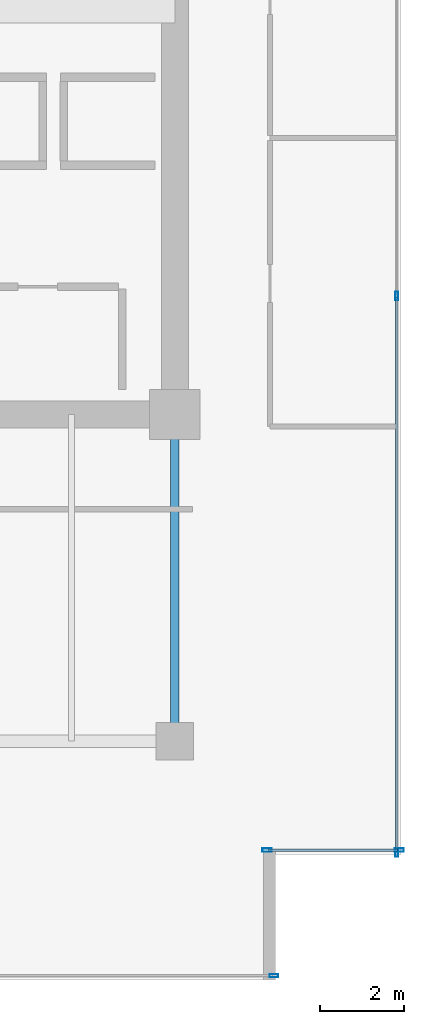
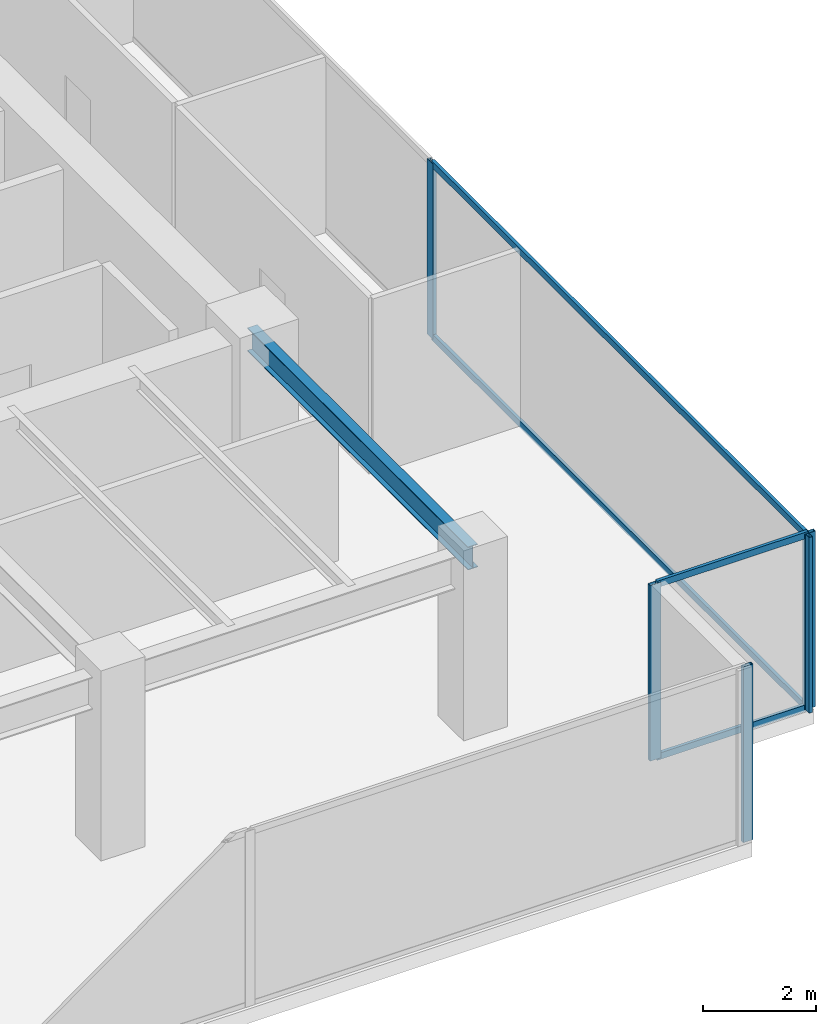
# One storey, part 21 of 31: 9 members, 1 beam, 3 elements without a shape of their own.
"""IFC4 building model written with IfcOpenShell, lengths in metres."""

from ifc_helpers import new_model, si_unit, direction, frame, origin, origin_2d, place, context, subcontext, project, spatial, hollow_rectangle, i_section, extrude, source, transform, mapped, material, layer, layer_set, material_profile, profile_set, type_object, type_shapes, element, aggregate, save


model = new_model("IFC4")

# Units and contexts
model_context = context("Model", 3, precision=1e-05, world=origin(), true_north=direction((0.0, 1.0)))
body_context = subcontext(model_context, "Body", "Model", "MODEL_VIEW")
ifc_project = project(units=[si_unit("LENGTHUNIT", "METRE"), si_unit("AREAUNIT", "SQUARE_METRE"), si_unit("VOLUMEUNIT", "CUBIC_METRE"), si_unit("PLANEANGLEUNIT", "RADIAN"), si_unit("MASSUNIT", "GRAM", prefix="KILO")], contexts=[model_context])

# Site, building, storey
site_placement = place(None, origin())
site = spatial("IfcSite", under=ifc_project, at=site_placement, CompositionType="ELEMENT")
building_placement = place(site_placement, origin())
building = spatial("IfcBuilding", under=site, at=building_placement, Name="Haelvirn Gate Laboratories", CompositionType="ELEMENT")
storey_placement = place(building_placement, frame((0.0, 0.0, 150.199951171875)))
storey = spatial("IfcBuildingStorey", under=building, at=storey_placement, Name="L36", CompositionType="ELEMENT", Elevation=150.199951171875)

# Beam
ifc_material_1 = material(Name="Steel SM355", Category="steel")
ifc_material_profile_1 = material_profile(ifc_material_1, i_section(OverallWidth=0.199951171875, OverallDepth=0.5, WebThickness=0.010009765625, FlangeThickness=0.01611328125, at=origin_2d()), Name="H-500x200x10x16")
ifc_profile_set_1 = profile_set([ifc_material_profile_1], Name="Steel SM355")
beam_type = type_object("IfcBeamType", Name="BM-SP-500", PredefinedType="SPANDREL", material=ifc_profile_set_1)
shared_shape_1 = source(origin(), body_context, "Body", "SweptSolid", [
    extrude(i_section(OverallWidth=0.199951171875, OverallDepth=0.5, WebThickness=0.010009765625, FlangeThickness=0.01611328125, at=origin_2d()), origin(), (0.0, 0.0, 1.0), 7.800048828125),
])
type_shapes(beam_type, [shared_shape_1])
beam_placement = place(storey_placement, frame((67.39990234375, 7.0, 3.5400390625), z_axis=(0.0, 1.0, 0.0), x_axis=(-1.0, 0.0, 0.0)))
element("IfcBeam", 1, at=beam_placement, inside=storey, type_object=beam_type, Name="L36 Perimeter Spandrel X67.4 (7.0-14.8)", PredefinedType="SPANDREL", context=body_context, shape_type="MappedRepresentation", body=[
    mapped(shared_shape_1, transform((0.0, 0.0, 0.0), scale=1.0)),
])

# Curtain wall, members
ifc_material_2 = material(Name="Anodised bronze unitised aluminium & triple low-E glass", Category="aluminium")
ifc_layer_1 = layer(ifc_material_2, 0.181884765625, Name="CW-SYS-5")
ifc_layer_set_1 = layer_set([ifc_layer_1], Name="Anodised bronze unitised aluminium & triple low-E glass")
curtain_wall_type_1 = type_object("IfcCurtainWallType", Name="CW-SYS-5", PredefinedType="NOTDEFINED", material=ifc_layer_set_1)
curtain_wall_1_placement = place(storey_placement, origin())
curtain_wall_1 = element("IfcCurtainWall", 2, at=curtain_wall_1_placement, inside=storey, type_object=curtain_wall_type_1, Name="L36 Unitised Curtain Wall CW-L36-P0-E06-1", PredefinedType="NOTDEFINED")
ifc_material_3 = material(Name="Extruded aluminium 6063-T6 (anodised bronze)", Category="aluminium")
ifc_material_profile_2 = material_profile(ifc_material_3, hollow_rectangle(XDim=0.06494140625, YDim=0.139892578125, WallThickness=0.00390625, at=origin_2d()), Name="CWT-140x65x4")
ifc_profile_set_2 = profile_set([ifc_material_profile_2], Name="Extruded aluminium 6063-T6 (anodised bronze)")
member_type_1 = type_object("IfcMemberType", Name="CWT-T140", PredefinedType="USERDEFINED", material=ifc_profile_set_2)
shared_shape_2 = source(origin(), body_context, "Body", "SweptSolid", [
    extrude(hollow_rectangle(XDim=0.06494140625, YDim=0.139892578125, WallThickness=0.00390625, at=origin_2d()), origin(), (0.0, 0.0, 1.0), 3.080078125),
])
member_1_placement = place(storey_placement, frame((69.639892578125, 4.39990234375, 0.032470703125), z_axis=(1.0, 0.0, 0.0), x_axis=(0.0, 1.0, 0.0)))
member_1 = element("IfcMember", 3, at=member_1_placement, type_object=member_type_1, Name="CW5 transom 1.1", ObjectType="TRANSOM", PredefinedType="USERDEFINED", context=body_context, shape_type="MappedRepresentation", body=[
    mapped(shared_shape_2, transform((0.0, 0.0, 0.0), scale=1.0)),
])
member_2_placement = place(storey_placement, frame((69.639892578125, 4.39990234375, 3.757568359375), z_axis=(1.0, 0.0, 0.0), x_axis=(0.0, 1.0, 0.0)))
member_2 = element("IfcMember", 4, at=member_2_placement, type_object=member_type_1, Name="CW5 transom 1.2", ObjectType="TRANSOM", PredefinedType="USERDEFINED", context=body_context, shape_type="MappedRepresentation", body=[
    mapped(shared_shape_2, transform((0.0, 0.0, 0.0), scale=1.0)),
])

ifc_layer_2 = layer(ifc_material_2, 0.179931640625, Name="CW-SYS-3")
ifc_layer_set_2 = layer_set([ifc_layer_2], Name="Anodised bronze unitised aluminium & triple low-E glass")
curtain_wall_type_2 = type_object("IfcCurtainWallType", Name="CW-SYS-3", PredefinedType="NOTDEFINED", material=ifc_layer_set_2)
curtain_wall_2_placement = place(storey_placement, origin())
curtain_wall_2 = element("IfcCurtainWall", 5, at=curtain_wall_2_placement, inside=storey, type_object=curtain_wall_type_2, Name="L36 Unitised Curtain Wall CW-L36-P0-E07", PredefinedType="NOTDEFINED")
shared_shape_3 = source(origin(), body_context, "Body", "SweptSolid", [
    extrude(hollow_rectangle(XDim=0.06494140625, YDim=0.139892578125, WallThickness=0.00390625, at=origin_2d()), origin(), (0.0, 0.0, 1.0), 13.220947265625),
])
type_shapes(member_type_1, [shared_shape_2, shared_shape_3])
member_3_placement = place(storey_placement, frame((72.699951171875, 4.375, 0.032470703125), z_axis=(0.0, 1.0, 0.0), x_axis=(-1.0, 0.0, 0.0)))
member_3 = element("IfcMember", 6, at=member_3_placement, type_object=member_type_1, Name="CW3 transom 1.1", ObjectType="TRANSOM", PredefinedType="USERDEFINED", context=body_context, shape_type="MappedRepresentation", body=[
    mapped(shared_shape_3, transform((0.0, 0.0, 0.0), scale=1.0)),
])
member_4_placement = place(storey_placement, frame((72.699951171875, 4.375, 3.757568359375), z_axis=(0.0, 1.0, 0.0), x_axis=(-1.0, 0.0, 0.0)))
member_4 = element("IfcMember", 7, at=member_4_placement, type_object=member_type_1, Name="CW3 transom 1.2", ObjectType="TRANSOM", PredefinedType="USERDEFINED", context=body_context, shape_type="MappedRepresentation", body=[
    mapped(shared_shape_3, transform((0.0, 0.0, 0.0), scale=1.0)),
])

# Curtain wall, member
curtain_wall_3_placement = place(storey_placement, origin())
curtain_wall_3 = element("IfcCurtainWall", 8, at=curtain_wall_3_placement, inside=storey, type_object=curtain_wall_type_2, Name="L36 Unitised Curtain Wall CW-L36-P0-E04-1", PredefinedType="NOTDEFINED")
ifc_material_profile_3 = material_profile(ifc_material_3, hollow_rectangle(XDim=0.074951171875, YDim=0.199951171875, WallThickness=0.0048828125, at=origin_2d()), Name="CWM-200x75x5")
ifc_profile_set_3 = profile_set([ifc_material_profile_3], Name="Extruded aluminium 6063-T6 (anodised bronze)")
member_type_2 = type_object("IfcMemberType", Name="CWM-T200", PredefinedType="MULLION", material=ifc_profile_set_3)
shared_shape_4 = source(origin(), body_context, "Body", "SweptSolid", [
    extrude(hollow_rectangle(XDim=0.074951171875, YDim=0.199951171875, WallThickness=0.0048828125, at=origin_2d()), origin(), (0.0, 0.0, 1.0), 3.7900390625),
])
type_shapes(member_type_2, [shared_shape_4])
member_5_placement = place(storey_placement, frame((69.762451171875, 1.39990234375, 0.0), z_axis=(0.0, 0.0, 1.0), x_axis=(0.0, 1.0, 0.0)))
member_5 = element("IfcMember", 9, at=member_5_placement, type_object=member_type_2, Name="CW3 mullion 3", PredefinedType="MULLION", context=body_context, shape_type="MappedRepresentation", body=[
    mapped(shared_shape_4, transform((0.0, 0.0, 0.0), scale=1.0)),
])
aggregate(curtain_wall_3, [member_5])

# Member
member_6_placement = place(storey_placement, frame((72.699951171875, 4.33740234375, 0.0), z_axis=(0.0, 0.0, 1.0), x_axis=(-1.0, 0.0, 0.0)))
member_6 = element("IfcMember", 10, at=member_6_placement, type_object=member_type_2, Name="CW3 mullion 1", PredefinedType="MULLION", context=body_context, shape_type="MappedRepresentation", body=[
    mapped(shared_shape_4, transform((0.0, 0.0, 0.0), scale=1.0)),
])

member_7_placement = place(storey_placement, frame((72.699951171875, 17.63330078125, 0.0), z_axis=(0.0, 0.0, 1.0), x_axis=(-1.0, 0.0, 0.0)))
member_7 = element("IfcMember", 11, at=member_7_placement, type_object=member_type_2, Name="CW3 mullion 2", PredefinedType="MULLION", context=body_context, shape_type="MappedRepresentation", body=[
    mapped(shared_shape_4, transform((0.0, 0.0, 0.0), scale=1.0)),
])

aggregate(curtain_wall_2, [member_6, member_7, member_3, member_4])

ifc_material_profile_4 = material_profile(ifc_material_3, hollow_rectangle(XDim=0.080078125, YDim=0.219970703125, WallThickness=0.006103515625, at=origin_2d()), Name="CWM-220x80x6")
ifc_profile_set_4 = profile_set([ifc_material_profile_4], Name="Extruded aluminium 6063-T6 (anodised bronze)")
member_type_3 = type_object("IfcMemberType", Name="CWM-T220", PredefinedType="MULLION", material=ifc_profile_set_4)
shared_shape_5 = source(origin(), body_context, "Body", "SweptSolid", [
    extrude(hollow_rectangle(XDim=0.080078125, YDim=0.219970703125, WallThickness=0.006103515625, at=origin_2d()), origin(), (0.0, 0.0, 1.0), 3.7900390625),
])
type_shapes(member_type_3, [shared_shape_5])
member_8_placement = place(storey_placement, frame((69.60009765625, 4.39990234375, 0.0), z_axis=(0.0, 0.0, 1.0), x_axis=(0.0, 1.0, 0.0)))
member_8 = element("IfcMember", 12, at=member_8_placement, type_object=member_type_3, Name="CW5 mullion 1", PredefinedType="MULLION", context=body_context, shape_type="MappedRepresentation", body=[
    mapped(shared_shape_5, transform((0.0, 0.0, 0.0), scale=1.0)),
])

member_9_placement = place(storey_placement, frame((72.760009765625, 4.39990234375, 0.0), z_axis=(0.0, 0.0, 1.0), x_axis=(0.0, 1.0, 0.0)))
member_9 = element("IfcMember", 13, at=member_9_placement, type_object=member_type_3, Name="CW5 mullion 2", PredefinedType="MULLION", context=body_context, shape_type="MappedRepresentation", body=[
    mapped(shared_shape_5, transform((0.0, 0.0, 0.0), scale=1.0)),
])

aggregate(curtain_wall_1, [member_8, member_9, member_1, member_2])

save(model, "model.ifc")
